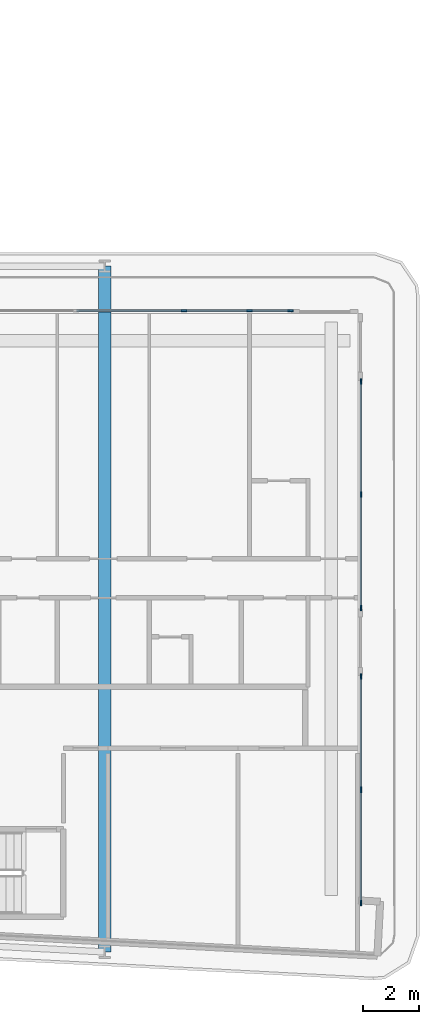
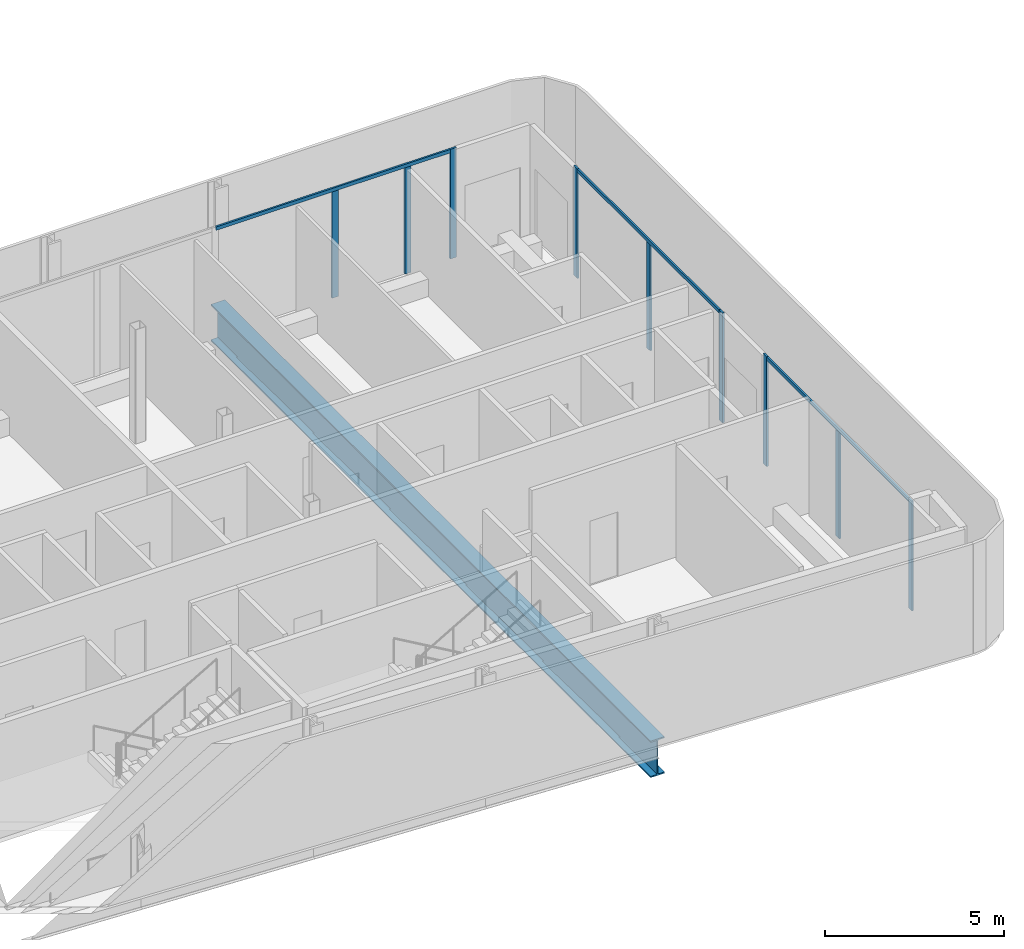
# One storey, part 8 of 28: 12 members, 1 beam, 3 elements without a shape of their own.
"""IFC4 building model written with IfcOpenShell, lengths in metres."""

import ifcopenshell
import ifcopenshell.guid

model = None  # the IFC model being written
_history = None  # IfcOwnerHistory: only IFC2X3 demands one
_inside = {}  # id of a spatial element -> (the spatial element, [elements in it])
_under = {}  # id of a project, library or spatial element -> (it, [spatial elements below it])
_declared = {}  # id of a project -> (the project, [libraries it declares])
_typed = {}  # id of a type object -> (the type object, [elements of that type])
_made_of = {}  # id of a material, layer set ... -> (it, [elements and type objects made of it])


def new_model(schema):
    """Start an empty IFC model of exactly this schema.

    Asked for "IFC4X3", IfcOpenShell would pick the latest addendum, in which some entities
    have other attributes; the version numbers below select the first issue.
    IFC2X3 requires an IfcOwnerHistory on every rooted entity: one is made here for all.
    """
    global model, _history
    if schema == "IFC4X3":
        model = ifcopenshell.file(schema_version=(4, 3, 0, 0))
    else:
        model = ifcopenshell.file(schema=schema)
    _inside.clear()
    _under.clear()
    _declared.clear()
    _typed.clear()
    _made_of.clear()
    _history = None
    if model.schema == "IFC2X3":
        org = make("IfcOrganization", Name="unknown")
        user = make(
            "IfcPersonAndOrganization",
            ThePerson=make("IfcPerson", FamilyName="unknown"),
            TheOrganization=org,
        )
        app = make(
            "IfcApplication",
            ApplicationDeveloper=org,
            Version="unknown",
            ApplicationFullName="unknown",
            ApplicationIdentifier="unknown",
        )
        _history = make(
            "IfcOwnerHistory",
            OwningUser=user,
            OwningApplication=app,
            ChangeAction="ADDED",
            CreationDate=0,
        )
    return model


def make(cls, **values):
    """One entity of the class cls with the attributes given. An attribute that is None is left unset."""
    return model.create_entity(
        cls, **{name: value for name, value in values.items() if value is not None}
    )


def rooted(cls, **values):
    """An entity with a GlobalId (a new one), such as an element, a storey or a relation."""
    return make(cls, GlobalId=ifcopenshell.guid.new(), OwnerHistory=_history, **values)


def si_unit(unit_type, name, prefix=None):
    """IfcSIUnit, for example si_unit("LENGTHUNIT", "METRE", prefix="MILLI")."""
    return make("IfcSIUnit", UnitType=unit_type, Prefix=prefix, Name=name)


def assignment(units):
    """IfcUnitAssignment: the units of a project."""
    return None if units is None else make("IfcUnitAssignment", Units=units)


def point(xyz):
    """IfcCartesianPoint."""
    return None if xyz is None else make("IfcCartesianPoint", Coordinates=xyz)


def direction(xyz):
    """IfcDirection."""
    return None if xyz is None else make("IfcDirection", DirectionRatios=xyz)


def frame(location, z_axis=None, x_axis=None):
    """IfcAxis2Placement3D, a coordinate frame: its origin and axes. An axis left out is left unset."""
    return make(
        "IfcAxis2Placement3D",
        Location=point(location),
        Axis=direction(z_axis),
        RefDirection=direction(x_axis),
    )


def frame_2d(location, x_axis=None):
    """IfcAxis2Placement2D, a coordinate frame in the plane: its origin and x axis."""
    return make(
        "IfcAxis2Placement2D", Location=point(location), RefDirection=direction(x_axis)
    )


def origin():
    """The frame at (0, 0, 0) with its axes left unset."""
    return frame((0.0, 0.0, 0.0))


def origin_2d():
    """The frame at (0, 0) in the plane with its x axis left unset."""
    return frame_2d((0.0, 0.0))


def place(relative_to, where):
    """IfcLocalPlacement: puts the frame where relative to a parent placement (None: the world)."""
    return make(
        "IfcLocalPlacement", PlacementRelTo=relative_to, RelativePlacement=where
    )


def context(
    kind, dimensions, precision=None, world=None, true_north=None, identifier=None
):
    """IfcGeometricRepresentationContext, for example the 3D "Model" context."""
    return make(
        "IfcGeometricRepresentationContext",
        ContextIdentifier=identifier,
        ContextType=kind,
        CoordinateSpaceDimension=dimensions,
        Precision=precision,
        WorldCoordinateSystem=world,
        TrueNorth=true_north,
    )


def subcontext(parent, identifier, kind, view, scale=None):
    """IfcGeometricRepresentationSubContext, for example "Body" below "Model"."""
    return make(
        "IfcGeometricRepresentationSubContext",
        ContextIdentifier=identifier,
        ContextType=kind,
        ParentContext=parent,
        TargetScale=scale,
        TargetView=view,
    )


def project(units=None, contexts=None):
    """IfcProject with its units and contexts."""
    return rooted(
        "IfcProject",
        Name="project",
        RepresentationContexts=contexts,
        UnitsInContext=assignment(units),
    )


def spatial(cls, under=None, at=None, **own):
    """A site, building, storey or space (cls), placed at a placement, below another one or the project."""
    s = rooted(cls, ObjectPlacement=at, **own)
    if under is not None:
        _under.setdefault(under.id(), (under, []))[1].append(s)
    return s


def profile(cls, at=None, kind="AREA", **sizes):
    """A parametric profile (cls). Its sizes go by their IFC names, for example OverallWidth=200.0."""
    return make(cls, ProfileType=kind, Position=at, **sizes)


def rectangle(**sizes):
    """IfcRectangleProfileDef."""
    return profile("IfcRectangleProfileDef", **sizes)


def i_section(**sizes):
    """IfcIShapeProfileDef."""
    return profile("IfcIShapeProfileDef", **sizes)


def extrude(swept, where, along, depth):
    """IfcExtrudedAreaSolid: the profile swept, set in the frame where, extruded along a direction by depth."""
    return make(
        "IfcExtrudedAreaSolid",
        SweptArea=swept,
        Position=where,
        ExtrudedDirection=direction(along),
        Depth=depth,
    )


def shape(context_of_items, identifier, shape_type, items):
    """IfcShapeRepresentation: the items that make up one representation, for example the "Body"."""
    return make(
        "IfcShapeRepresentation",
        ContextOfItems=context_of_items,
        RepresentationIdentifier=identifier,
        RepresentationType=shape_type,
        Items=items,
    )


def material(Name=None, Category=None):
    """IfcMaterial."""
    return make("IfcMaterial", Name=Name, Category=Category)


def layer(
    of_material, thickness, ventilated=None, Name=None, Category=None, Priority=None
):
    """IfcMaterialLayer: one layer of a wall or slab, of a material (None: an air gap)."""
    return make(
        "IfcMaterialLayer",
        Material=of_material,
        LayerThickness=thickness,
        IsVentilated=ventilated,
        Name=Name,
        Category=Category,
        Priority=Priority,
    )


def layer_set(layers, Name=None):
    """IfcMaterialLayerSet."""
    return make("IfcMaterialLayerSet", MaterialLayers=layers, LayerSetName=Name)


def material_profile(
    of_material, cross_section, Name=None, Category=None, Priority=None
):
    """IfcMaterialProfile: a cross section and its material."""
    return make(
        "IfcMaterialProfile",
        Name=Name,
        Material=of_material,
        Profile=cross_section,
        Priority=Priority,
        Category=Category,
    )


def profile_set(profiles, Name=None, composite=None):
    """IfcMaterialProfileSet."""
    return make(
        "IfcMaterialProfileSet",
        Name=Name,
        MaterialProfiles=profiles,
        CompositeProfile=composite,
    )


def made_of(thing, what):
    """Note that an element or type object is made of a material, layer set ...; save() writes the relation."""
    if what is not None:
        _made_of.setdefault(what.id(), (what, []))[1].append(thing)
    return thing


def type_object(cls, material=None, **own):
    """A type object (cls), such as IfcWallType, which elements share."""
    return made_of(rooted(cls, **own), material)


def element(
    cls,
    number,
    at=None,
    inside=None,
    cuts=None,
    type_object=None,
    material=None,
    context=None,
    identifier="Body",
    shape_type=None,
    held_by="IfcProductDefinitionShape",
    body=None,
    shapes=None,
    **own,
):
    """One element of the class cls, such as IfcWall. Its Tag is "e" and its number.

    at: its placement. inside: the storey or other place that contains it. cuts: it is an
    opening in that element (IfcRelVoidsElement). A single representation is given by context,
    identifier, shape_type and body (its items); several are given by shapes. held_by: the class
    of the entity that holds the representations. save() writes the other relations.
    """
    e = rooted(cls, Tag="e%d" % number, ObjectPlacement=at, **own)
    if body is not None:
        shapes = [shape(context, identifier, shape_type, body)]
    if shapes is not None:
        e.Representation = make(held_by, Representations=shapes)
    if inside is not None:
        _inside.setdefault(inside.id(), (inside, []))[1].append(e)
    if cuts is not None:
        rooted(
            "IfcRelVoidsElement", RelatingBuildingElement=cuts, RelatedOpeningElement=e
        )
    if type_object is not None:
        _typed.setdefault(type_object.id(), (type_object, []))[1].append(e)
    return made_of(e, material)


def aggregate(whole, parts):
    """IfcRelAggregates: a whole, such as a stair, and the parts it consists of."""
    return rooted("IfcRelAggregates", RelatingObject=whole, RelatedObjects=parts)


def save(model, path):
    """Write the relations noted so far, then the file.

    IfcRelAggregates (storeys below a building ...), IfcRelContainedInSpatialStructure (elements
    in a storey), IfcRelDefinesByType, IfcRelAssociatesMaterial and IfcRelDeclares: one each for
    every whole, place, type object, material and project.
    """
    for whole, parts in _under.values():
        aggregate(whole, parts)
    for where, things in _inside.values():
        rooted(
            "IfcRelContainedInSpatialStructure",
            RelatedElements=things,
            RelatingStructure=where,
        )
    for kind, things in _typed.values():
        rooted("IfcRelDefinesByType", RelatedObjects=things, RelatingType=kind)
    for what, things in _made_of.values():
        rooted("IfcRelAssociatesMaterial", RelatedObjects=things, RelatingMaterial=what)
    for by, libraries in _declared.values():
        rooted("IfcRelDeclares", RelatingContext=by, RelatedDefinitions=libraries)
    model.write(path)


model = new_model("IFC4")

# Units and contexts
model_context = context("Model", 3, precision=1e-05, world=origin(), true_north=direction((0.0, 1.0)))
body_context = subcontext(model_context, "Body", "Model", "MODEL_VIEW")
ifc_project = project(units=[si_unit("LENGTHUNIT", "METRE"), si_unit("AREAUNIT", "SQUARE_METRE"), si_unit("VOLUMEUNIT", "CUBIC_METRE"), si_unit("PLANEANGLEUNIT", "RADIAN"), si_unit("MASSUNIT", "GRAM", prefix="KILO")], contexts=[model_context])

# Site, building, storey
site_placement = place(None, origin())
site = spatial("IfcSite", under=ifc_project, at=site_placement, CompositionType="ELEMENT")
building_placement = place(site_placement, origin())
building = spatial("IfcBuilding", under=site, at=building_placement, Name="Kheshtan School and Residences Tower", CompositionType="ELEMENT")
storey_placement = place(building_placement, frame((0.0, 0.0, 137.0)))
storey = spatial("IfcBuildingStorey", under=building, at=storey_placement, Name="L32", CompositionType="ELEMENT", Elevation=137.0)

# Curtain wall, members
ifc_material_1 = material(Name="Clear low-e glass in thermally broken aluminium frame", Category="aluminium")
ifc_layer = layer(ifc_material_1, 0.199951171875)
ifc_layer_set = layer_set([ifc_layer], Name="Curtain wall CW-L")
curtain_wall_type = type_object("IfcCurtainWallType", Name="Curtain wall CW-L", PredefinedType="NOTDEFINED", material=ifc_layer_set)
curtain_wall_1_placement = place(storey_placement, origin())
curtain_wall_1 = element("IfcCurtainWall", 1, at=curtain_wall_1_placement, inside=storey, type_object=curtain_wall_type, Name="Curtain wall CWL12k", PredefinedType="NOTDEFINED")
ifc_material_2 = material(Name="Thermally broken aluminium, dark bronze anodised", Category="aluminium")
ifc_material_profile_1 = material_profile(ifc_material_2, rectangle(XDim=0.06005859375, YDim=0.199951171875, at=origin_2d()), Name="CW-L mullion 60x200")
ifc_profile_set_1 = profile_set([ifc_material_profile_1], Name="Thermally broken aluminium, dark bronze anodised")
member_type_1 = type_object("IfcMemberType", Name="CW-L mullion 60x200", PredefinedType="MULLION", material=ifc_profile_set_1)
member_1_placement = place(storey_placement, frame((93.653076171875, 44.0, 0.0), z_axis=(0.0, 0.0, 1.0), x_axis=(0.0, 1.0, 0.0)))
member_1 = element("IfcMember", 2, at=member_1_placement, type_object=member_type_1, Name="CWL12k mullion 2", PredefinedType="MULLION", context=body_context, shape_type="SweptSolid", body=[
    extrude(rectangle(XDim=0.06005859375, YDim=0.199951171875, at=origin_2d()), origin(), (0.0, 0.0, 1.0), 3.6298828125),
])
member_2_placement = place(storey_placement, frame((96.0, 44.0, 0.0), z_axis=(0.0, 0.0, 1.0), x_axis=(0.0, 1.0, 0.0)))
member_2 = element("IfcMember", 3, at=member_2_placement, type_object=member_type_1, Name="CWL12k mullion 3", PredefinedType="MULLION", context=body_context, shape_type="SweptSolid", body=[
    extrude(rectangle(XDim=0.06005859375, YDim=0.199951171875, at=origin_2d()), origin(), (0.0, 0.0, 1.0), 3.6298828125),
])
member_3_placement = place(storey_placement, frame((97.469970703125, 44.0, 0.0), z_axis=(0.0, 0.0, 1.0), x_axis=(0.0, 1.0, 0.0)))
member_3 = element("IfcMember", 4, at=member_3_placement, type_object=member_type_1, Name="CWL12k mullion 4", PredefinedType="MULLION", context=body_context, shape_type="SweptSolid", body=[
    extrude(rectangle(XDim=0.06005859375, YDim=0.199951171875, at=origin_2d()), origin(), (0.0, 0.0, 1.0), 3.75),
])

curtain_wall_2_placement = place(storey_placement, origin())
curtain_wall_2 = element("IfcCurtainWall", 5, at=curtain_wall_2_placement, inside=storey, type_object=curtain_wall_type, Name="Curtain wall CWL13b", PredefinedType="NOTDEFINED")
member_4_placement = place(storey_placement, frame((100.0, 41.469970703125, 0.0), z_axis=(0.0, 0.0, 1.0), x_axis=(1.0, 0.0, 0.0)))
member_4 = element("IfcMember", 6, at=member_4_placement, type_object=member_type_1, Name="CWL13b mullion 1", PredefinedType="MULLION", context=body_context, shape_type="SweptSolid", body=[
    extrude(rectangle(XDim=0.06005859375, YDim=0.199951171875, at=origin_2d()), origin(), (0.0, 0.0, 1.0), 3.75),
])
member_5_placement = place(storey_placement, frame((100.0, 37.403564453125, 0.0), z_axis=(0.0, 0.0, 1.0), x_axis=(1.0, 0.0, 0.0)))
member_5 = element("IfcMember", 7, at=member_5_placement, type_object=member_type_1, Name="CWL13b mullion 2", PredefinedType="MULLION", context=body_context, shape_type="SweptSolid", body=[
    extrude(rectangle(XDim=0.06005859375, YDim=0.199951171875, at=origin_2d()), origin(), (0.0, 0.0, 1.0), 3.6298828125),
])
member_6_placement = place(storey_placement, frame((100.0, 33.3369140625, 0.0), z_axis=(0.0, 0.0, 1.0), x_axis=(1.0, 0.0, 0.0)))
member_6 = element("IfcMember", 8, at=member_6_placement, type_object=member_type_1, Name="CWL13b mullion 3", PredefinedType="MULLION", context=body_context, shape_type="SweptSolid", body=[
    extrude(rectangle(XDim=0.06005859375, YDim=0.199951171875, at=origin_2d()), origin(), (0.0, 0.0, 1.0), 3.75),
])

curtain_wall_3_placement = place(storey_placement, origin())
curtain_wall_3 = element("IfcCurtainWall", 9, at=curtain_wall_3_placement, inside=storey, type_object=curtain_wall_type, Name="Curtain wall CWL13b", PredefinedType="NOTDEFINED")
member_7_placement = place(storey_placement, frame((100.0, 30.876953125, 0.0), z_axis=(0.0, 0.0, 1.0), x_axis=(1.0, 0.0, 0.0)))
member_7 = element("IfcMember", 10, at=member_7_placement, type_object=member_type_1, Name="CWL13b mullion 1", PredefinedType="MULLION", context=body_context, shape_type="SweptSolid", body=[
    extrude(rectangle(XDim=0.06005859375, YDim=0.199951171875, at=origin_2d()), origin(), (0.0, 0.0, 1.0), 3.75),
])
member_8_placement = place(storey_placement, frame((100.0, 26.810546875, 0.0), z_axis=(0.0, 0.0, 1.0), x_axis=(1.0, 0.0, 0.0)))
member_8 = element("IfcMember", 11, at=member_8_placement, type_object=member_type_1, Name="CWL13b mullion 2", PredefinedType="MULLION", context=body_context, shape_type="SweptSolid", body=[
    extrude(rectangle(XDim=0.06005859375, YDim=0.199951171875, at=origin_2d()), origin(), (0.0, 0.0, 1.0), 3.6298828125),
])
member_9_placement = place(storey_placement, frame((100.0, 22.743896484375, 0.0), z_axis=(0.0, 0.0, 1.0), x_axis=(1.0, 0.0, 0.0)))
member_9 = element("IfcMember", 12, at=member_9_placement, type_object=member_type_1, Name="CWL13b mullion 3", PredefinedType="MULLION", context=body_context, shape_type="SweptSolid", body=[
    extrude(rectangle(XDim=0.06005859375, YDim=0.199951171875, at=origin_2d()), origin(), (0.0, 0.0, 1.0), 3.75),
])

# Member
ifc_material_profile_2 = material_profile(ifc_material_2, rectangle(XDim=0.06005859375, YDim=0.1201171875, at=origin_2d()), Name="CW-L transom 60x120")
ifc_profile_set_2 = profile_set([ifc_material_profile_2], Name="Thermally broken aluminium, dark bronze anodised")
member_type_2 = type_object("IfcMemberType", Name="CW-L transom 60x120", PredefinedType="USERDEFINED", material=ifc_profile_set_2)
member_10_placement = place(storey_placement, frame((89.805908203125, 44.0, 3.68994140625), z_axis=(1.0, 0.0, 0.0), x_axis=(0.0, 1.0, 0.0)))
member_10 = element("IfcMember", 13, at=member_10_placement, type_object=member_type_2, Name="CWL12k transom 1", ObjectType="TRANSOM", PredefinedType="USERDEFINED", context=body_context, shape_type="SweptSolid", body=[
    extrude(rectangle(XDim=0.06005859375, YDim=0.1201171875, at=origin_2d()), origin(), (0.0, 0.0, 1.0), 7.634033203125),
])

aggregate(curtain_wall_1, [member_1, member_2, member_3, member_10])

member_11_placement = place(storey_placement, frame((100.0, 41.43994140625, 3.68994140625), z_axis=(0.0, -1.0, 0.0), x_axis=(1.0, 0.0, 0.0)))
member_11 = element("IfcMember", 14, at=member_11_placement, type_object=member_type_2, Name="CWL13b transom 1", ObjectType="TRANSOM", PredefinedType="USERDEFINED", context=body_context, shape_type="SweptSolid", body=[
    extrude(rectangle(XDim=0.06005859375, YDim=0.1201171875, at=origin_2d()), origin(), (0.0, 0.0, 1.0), 8.072998046875),
])

aggregate(curtain_wall_2, [member_4, member_5, member_6, member_11])

member_12_placement = place(storey_placement, frame((100.0, 30.846923828125, 3.68994140625), z_axis=(0.0, -1.0, 0.0), x_axis=(1.0, 0.0, 0.0)))
member_12 = element("IfcMember", 15, at=member_12_placement, type_object=member_type_2, Name="CWL13b transom 1", ObjectType="TRANSOM", PredefinedType="USERDEFINED", context=body_context, shape_type="SweptSolid", body=[
    extrude(rectangle(XDim=0.06005859375, YDim=0.1201171875, at=origin_2d()), origin(), (0.0, 0.0, 1.0), 8.072998046875),
])

aggregate(curtain_wall_3, [member_7, member_8, member_9, member_12])

# Beam
ifc_material_3 = material(Name="Steel ASTM A992 Grade 50", Category="steel")
ifc_material_profile_3 = material_profile(ifc_material_3, i_section(OverallWidth=0.449951171875, OverallDepth=1.25, WebThickness=0.02490234375, FlangeThickness=0.044921875, FilletRadius=0.03759765625, at=origin_2d()), Name="WWF1250x546")
ifc_profile_set_3 = profile_set([ifc_material_profile_3], Name="Steel ASTM A992 Grade 50")
beam_type = type_object("IfcBeamType", Name="Transfer girder TG4 WWF1250x546 ASTM A992 Grade 50", PredefinedType="BEAM", material=ifc_profile_set_3)
beam_placement = place(storey_placement, frame((90.800048828125, 45.60009765625, -0.77490234375), z_axis=(0.0, -1.0, 0.0), x_axis=(1.0, 0.0, 0.0)))
element("IfcBeam", 16, at=beam_placement, inside=storey, type_object=beam_type, Name="Transfer girder C068-C006", PredefinedType="BEAM", context=body_context, shape_type="SweptSolid", body=[
    extrude(i_section(OverallWidth=0.449951171875, OverallDepth=1.25, WebThickness=0.02490234375, FlangeThickness=0.044921875, FilletRadius=0.03759765625, at=origin_2d()), origin(), (0.0, 0.0, 1.0), 24.610107421875),
])

save(model, "model.ifc")
